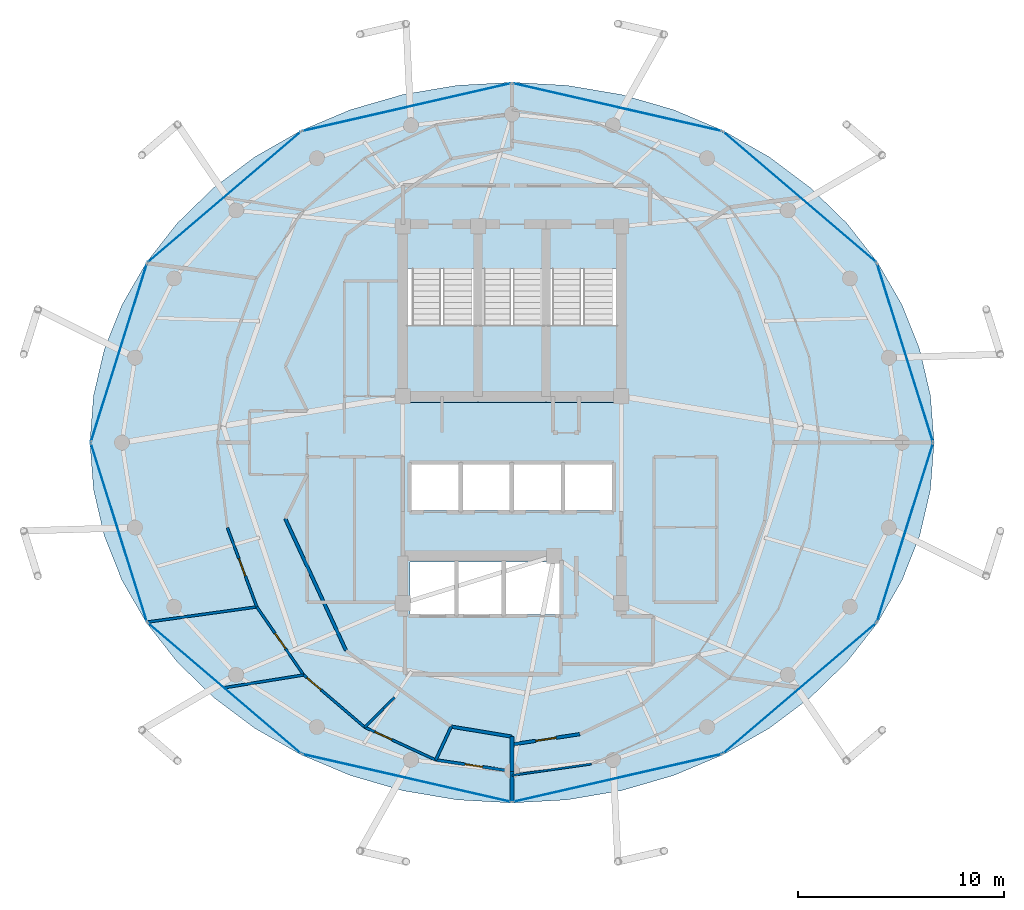
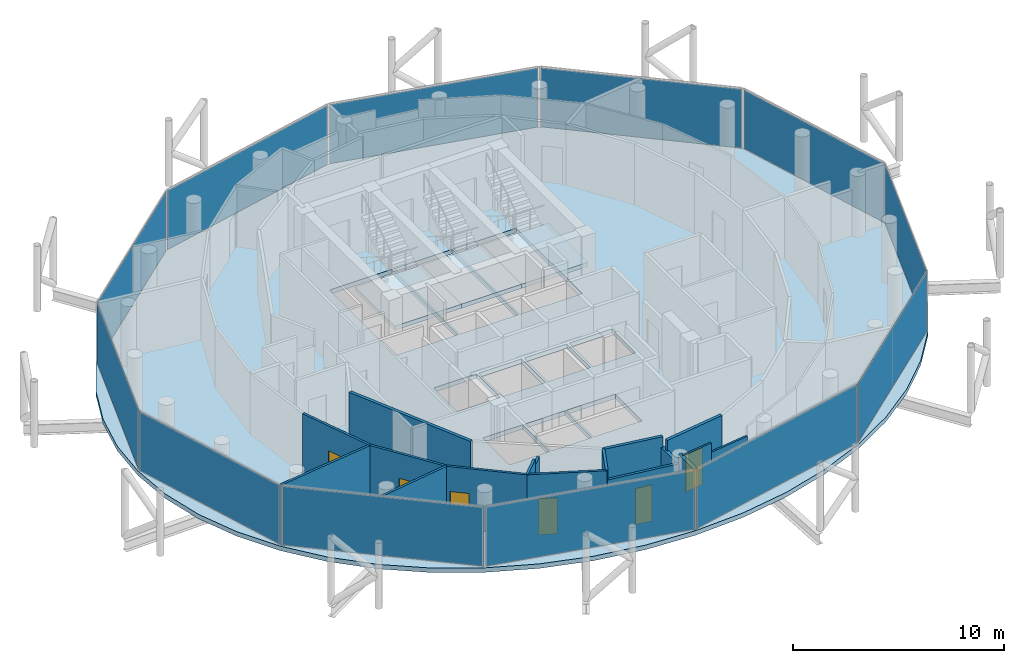
# One storey, part 19 of 24: 17 walls, 12 plates, 6 doors, 4 slabs, 6 openings, 15 elements without a shape of their own.
"""IFC4 building model written with IfcOpenShell, lengths in metres."""

import ifcopenshell
import ifcopenshell.guid

model = None  # the IFC model being written
_history = None  # IfcOwnerHistory: only IFC2X3 demands one
_inside = {}  # id of a spatial element -> (the spatial element, [elements in it])
_under = {}  # id of a project, library or spatial element -> (it, [spatial elements below it])
_declared = {}  # id of a project -> (the project, [libraries it declares])
_typed = {}  # id of a type object -> (the type object, [elements of that type])
_made_of = {}  # id of a material, layer set ... -> (it, [elements and type objects made of it])


def new_model(schema):
    """Start an empty IFC model of exactly this schema.

    Asked for "IFC4X3", IfcOpenShell would pick the latest addendum, in which some entities
    have other attributes; the version numbers below select the first issue.
    IFC2X3 requires an IfcOwnerHistory on every rooted entity: one is made here for all.
    """
    global model, _history
    if schema == "IFC4X3":
        model = ifcopenshell.file(schema_version=(4, 3, 0, 0))
    else:
        model = ifcopenshell.file(schema=schema)
    _inside.clear()
    _under.clear()
    _declared.clear()
    _typed.clear()
    _made_of.clear()
    _history = None
    if model.schema == "IFC2X3":
        org = make("IfcOrganization", Name="unknown")
        user = make(
            "IfcPersonAndOrganization",
            ThePerson=make("IfcPerson", FamilyName="unknown"),
            TheOrganization=org,
        )
        app = make(
            "IfcApplication",
            ApplicationDeveloper=org,
            Version="unknown",
            ApplicationFullName="unknown",
            ApplicationIdentifier="unknown",
        )
        _history = make(
            "IfcOwnerHistory",
            OwningUser=user,
            OwningApplication=app,
            ChangeAction="ADDED",
            CreationDate=0,
        )
    return model


def make(cls, **values):
    """One entity of the class cls with the attributes given. An attribute that is None is left unset."""
    return model.create_entity(
        cls, **{name: value for name, value in values.items() if value is not None}
    )


def rooted(cls, **values):
    """An entity with a GlobalId (a new one), such as an element, a storey or a relation."""
    return make(cls, GlobalId=ifcopenshell.guid.new(), OwnerHistory=_history, **values)


def si_unit(unit_type, name, prefix=None):
    """IfcSIUnit, for example si_unit("LENGTHUNIT", "METRE", prefix="MILLI")."""
    return make("IfcSIUnit", UnitType=unit_type, Prefix=prefix, Name=name)


def assignment(units):
    """IfcUnitAssignment: the units of a project."""
    return None if units is None else make("IfcUnitAssignment", Units=units)


def point(xyz):
    """IfcCartesianPoint."""
    return None if xyz is None else make("IfcCartesianPoint", Coordinates=xyz)


def direction(xyz):
    """IfcDirection."""
    return None if xyz is None else make("IfcDirection", DirectionRatios=xyz)


def frame(location, z_axis=None, x_axis=None):
    """IfcAxis2Placement3D, a coordinate frame: its origin and axes. An axis left out is left unset."""
    return make(
        "IfcAxis2Placement3D",
        Location=point(location),
        Axis=direction(z_axis),
        RefDirection=direction(x_axis),
    )


def frame_2d(location, x_axis=None):
    """IfcAxis2Placement2D, a coordinate frame in the plane: its origin and x axis."""
    return make(
        "IfcAxis2Placement2D", Location=point(location), RefDirection=direction(x_axis)
    )


def origin():
    """The frame at (0, 0, 0) with its axes left unset."""
    return frame((0.0, 0.0, 0.0))


def origin_2d():
    """The frame at (0, 0) in the plane with its x axis left unset."""
    return frame_2d((0.0, 0.0))


def place(relative_to, where):
    """IfcLocalPlacement: puts the frame where relative to a parent placement (None: the world)."""
    return make(
        "IfcLocalPlacement", PlacementRelTo=relative_to, RelativePlacement=where
    )


def context(
    kind, dimensions, precision=None, world=None, true_north=None, identifier=None
):
    """IfcGeometricRepresentationContext, for example the 3D "Model" context."""
    return make(
        "IfcGeometricRepresentationContext",
        ContextIdentifier=identifier,
        ContextType=kind,
        CoordinateSpaceDimension=dimensions,
        Precision=precision,
        WorldCoordinateSystem=world,
        TrueNorth=true_north,
    )


def subcontext(parent, identifier, kind, view, scale=None):
    """IfcGeometricRepresentationSubContext, for example "Body" below "Model"."""
    return make(
        "IfcGeometricRepresentationSubContext",
        ContextIdentifier=identifier,
        ContextType=kind,
        ParentContext=parent,
        TargetScale=scale,
        TargetView=view,
    )


def project(units=None, contexts=None):
    """IfcProject with its units and contexts."""
    return rooted(
        "IfcProject",
        Name="project",
        RepresentationContexts=contexts,
        UnitsInContext=assignment(units),
    )


def spatial(cls, under=None, at=None, **own):
    """A site, building, storey or space (cls), placed at a placement, below another one or the project."""
    s = rooted(cls, ObjectPlacement=at, **own)
    if under is not None:
        _under.setdefault(under.id(), (under, []))[1].append(s)
    return s


def polyline(points):
    """IfcPolyline through the points."""
    return make("IfcPolyline", Points=[point(p) for p in points])


def profile(cls, at=None, kind="AREA", **sizes):
    """A parametric profile (cls). Its sizes go by their IFC names, for example OverallWidth=200.0."""
    return make(cls, ProfileType=kind, Position=at, **sizes)


def rectangle(**sizes):
    """IfcRectangleProfileDef."""
    return profile("IfcRectangleProfileDef", **sizes)


def outline(outer, holes=None, kind="AREA"):
    """IfcArbitraryClosedProfileDef: a profile drawn as a closed curve; with holes, ...WithVoids."""
    if holes is None:
        return make("IfcArbitraryClosedProfileDef", ProfileType=kind, OuterCurve=outer)
    return make(
        "IfcArbitraryProfileDefWithVoids",
        ProfileType=kind,
        OuterCurve=outer,
        InnerCurves=holes,
    )


def extrude(swept, where, along, depth):
    """IfcExtrudedAreaSolid: the profile swept, set in the frame where, extruded along a direction by depth."""
    return make(
        "IfcExtrudedAreaSolid",
        SweptArea=swept,
        Position=where,
        ExtrudedDirection=direction(along),
        Depth=depth,
    )


def shape(context_of_items, identifier, shape_type, items):
    """IfcShapeRepresentation: the items that make up one representation, for example the "Body"."""
    return make(
        "IfcShapeRepresentation",
        ContextOfItems=context_of_items,
        RepresentationIdentifier=identifier,
        RepresentationType=shape_type,
        Items=items,
    )


def material(Name=None, Category=None):
    """IfcMaterial."""
    return make("IfcMaterial", Name=Name, Category=Category)


def layer(
    of_material, thickness, ventilated=None, Name=None, Category=None, Priority=None
):
    """IfcMaterialLayer: one layer of a wall or slab, of a material (None: an air gap)."""
    return make(
        "IfcMaterialLayer",
        Material=of_material,
        LayerThickness=thickness,
        IsVentilated=ventilated,
        Name=Name,
        Category=Category,
        Priority=Priority,
    )


def layer_set(layers, Name=None):
    """IfcMaterialLayerSet."""
    return make("IfcMaterialLayerSet", MaterialLayers=layers, LayerSetName=Name)


def made_of(thing, what):
    """Note that an element or type object is made of a material, layer set ...; save() writes the relation."""
    if what is not None:
        _made_of.setdefault(what.id(), (what, []))[1].append(thing)
    return thing


def type_object(cls, material=None, **own):
    """A type object (cls), such as IfcWallType, which elements share."""
    return made_of(rooted(cls, **own), material)


def element(
    cls,
    number,
    at=None,
    inside=None,
    cuts=None,
    type_object=None,
    material=None,
    context=None,
    identifier="Body",
    shape_type=None,
    held_by="IfcProductDefinitionShape",
    body=None,
    shapes=None,
    **own,
):
    """One element of the class cls, such as IfcWall. Its Tag is "e" and its number.

    at: its placement. inside: the storey or other place that contains it. cuts: it is an
    opening in that element (IfcRelVoidsElement). A single representation is given by context,
    identifier, shape_type and body (its items); several are given by shapes. held_by: the class
    of the entity that holds the representations. save() writes the other relations.
    """
    e = rooted(cls, Tag="e%d" % number, ObjectPlacement=at, **own)
    if body is not None:
        shapes = [shape(context, identifier, shape_type, body)]
    if shapes is not None:
        e.Representation = make(held_by, Representations=shapes)
    if inside is not None:
        _inside.setdefault(inside.id(), (inside, []))[1].append(e)
    if cuts is not None:
        rooted(
            "IfcRelVoidsElement", RelatingBuildingElement=cuts, RelatedOpeningElement=e
        )
    if type_object is not None:
        _typed.setdefault(type_object.id(), (type_object, []))[1].append(e)
    return made_of(e, material)


def fill(opening, filler):
    """IfcRelFillsElement: the door or window that sits in an opening."""
    return rooted(
        "IfcRelFillsElement",
        RelatingOpeningElement=opening,
        RelatedBuildingElement=filler,
    )


def aggregate(whole, parts):
    """IfcRelAggregates: a whole, such as a stair, and the parts it consists of."""
    return rooted("IfcRelAggregates", RelatingObject=whole, RelatedObjects=parts)


def save(model, path):
    """Write the relations noted so far, then the file.

    IfcRelAggregates (storeys below a building ...), IfcRelContainedInSpatialStructure (elements
    in a storey), IfcRelDefinesByType, IfcRelAssociatesMaterial and IfcRelDeclares: one each for
    every whole, place, type object, material and project.
    """
    for whole, parts in _under.values():
        aggregate(whole, parts)
    for where, things in _inside.values():
        rooted(
            "IfcRelContainedInSpatialStructure",
            RelatedElements=things,
            RelatingStructure=where,
        )
    for kind, things in _typed.values():
        rooted("IfcRelDefinesByType", RelatedObjects=things, RelatingType=kind)
    for what, things in _made_of.values():
        rooted("IfcRelAssociatesMaterial", RelatedObjects=things, RelatingMaterial=what)
    for by, libraries in _declared.values():
        rooted("IfcRelDeclares", RelatingContext=by, RelatedDefinitions=libraries)
    model.write(path)


model = new_model("IFC4")

# Units and contexts
model_context = context("Model", 3, precision=1e-05, world=origin(), true_north=direction((0.0, 1.0)))
body_context = subcontext(model_context, "Body", "Model", "MODEL_VIEW")
ifc_project = project(units=[si_unit("LENGTHUNIT", "METRE"), si_unit("AREAUNIT", "SQUARE_METRE"), si_unit("VOLUMEUNIT", "CUBIC_METRE"), si_unit("PLANEANGLEUNIT", "RADIAN"), si_unit("MASSUNIT", "GRAM", prefix="KILO")], contexts=[model_context])

# Site, building, storey
site_placement = place(None, origin())
site = spatial("IfcSite", under=ifc_project, at=site_placement, CompositionType="ELEMENT")
building_placement = place(site_placement, origin())
building = spatial("IfcBuilding", under=site, at=building_placement, Name="Nuhasar Tower", CompositionType="ELEMENT")
storey_placement = place(building_placement, frame((0.0, 0.0, 274.60009765625)))
storey = spatial("IfcBuildingStorey", under=building, at=storey_placement, Name="L68", CompositionType="ELEMENT", Elevation=274.60009765625)

# Curtain wall, plate
ifc_material_1 = material(Name="Aluminium 6063-T6", Category="aluminium")
ifc_layer_1 = layer(ifc_material_1, 0.18994140625)
ifc_layer_set_1 = layer_set([ifc_layer_1], Name="Aluminium 6063-T6")
curtain_wall_type = type_object("IfcCurtainWallType", Name="CW-Z4-PEN", PredefinedType="NOTDEFINED", material=ifc_layer_set_1)
curtain_wall_1_placement = place(storey_placement, origin())
curtain_wall_1 = element("IfcCurtainWall", 1, at=curtain_wall_1_placement, inside=storey, type_object=curtain_wall_type, Name="L68 Unitised Curtain Wall 01", PredefinedType="NOTDEFINED")
ifc_material_2 = material(Name="Glass Double Low-E", Category="glass")
ifc_layer_2 = layer(ifc_material_2, 0.028076171875)
ifc_layer_set_2 = layer_set([ifc_layer_2], Name="Glass Double Low-E")
plate_type = type_object("IfcPlateType", Name="CW-PANEL-GLZ", PredefinedType="CURTAIN_PANEL", material=ifc_layer_set_2)
plate_1_placement = place(storey_placement, frame((58.089599609375, 31.1650390625, 0.06005859375), z_axis=(0.0, 0.0, 1.0), x_axis=(-0.299556614146, 0.954078526601, 0.0)))
plate_1 = element("IfcPlate", 2, at=plate_1_placement, type_object=plate_type, Name="CW-Z4 panel 1.1", PredefinedType="CURTAIN_PANEL", context=body_context, shape_type="SweptSolid", body=[
    extrude(rectangle(XDim=9.0302734375, YDim=0.028076171875, at=origin_2d()), origin(), (0.0, 0.0, 1.0), 3.419921875),
])
aggregate(curtain_wall_1, [plate_1])

curtain_wall_2_placement = place(storey_placement, origin())
curtain_wall_2 = element("IfcCurtainWall", 3, at=curtain_wall_2_placement, inside=storey, type_object=curtain_wall_type, Name="L68 Unitised Curtain Wall 02", PredefinedType="NOTDEFINED")
plate_2_placement = place(storey_placement, frame((52.974609375, 38.7255859375, 0.06005859375), z_axis=(0.0, 0.0, 1.0), x_axis=(-0.760667252327, 0.649141996205, 0.0)))
plate_2 = element("IfcPlate", 4, at=plate_2_placement, type_object=plate_type, Name="CW-Z4 panel 1.1", PredefinedType="CURTAIN_PANEL", context=body_context, shape_type="SweptSolid", body=[
    extrude(rectangle(XDim=9.725341796875, YDim=0.028076171875, at=origin_2d()), origin(), (0.0, 0.0, 1.0), 3.419921875),
])
aggregate(curtain_wall_2, [plate_2])

curtain_wall_3_placement = place(storey_placement, origin())
curtain_wall_3 = element("IfcCurtainWall", 5, at=curtain_wall_3_placement, inside=storey, type_object=curtain_wall_type, Name="L68 Unitised Curtain Wall 03", PredefinedType="NOTDEFINED")
plate_3_placement = place(storey_placement, frame((44.114990234375, 43.090576171875, 0.06005859375), z_axis=(0.0, 0.0, 1.0), x_axis=(-0.97484371891, 0.222889487645, 0.0)))
plate_3 = element("IfcPlate", 6, at=plate_3_placement, type_object=plate_type, Name="CW-Z4 panel 1.1", PredefinedType="CURTAIN_PANEL", context=body_context, shape_type="SweptSolid", body=[
    extrude(rectangle(XDim=10.3740234375, YDim=0.028076171875, at=origin_2d()), origin(), (0.0, 0.0, 1.0), 3.419921875),
])
aggregate(curtain_wall_3, [plate_3])

curtain_wall_4_placement = place(storey_placement, origin())
curtain_wall_4 = element("IfcCurtainWall", 7, at=curtain_wall_4_placement, inside=storey, type_object=curtain_wall_type, Name="L68 Unitised Curtain Wall 04", PredefinedType="NOTDEFINED")
plate_4_placement = place(storey_placement, frame((33.885009765625, 43.090576171875, 0.06005859375), z_axis=(0.0, 0.0, 1.0), x_axis=(-0.97484371891, -0.222889487645, 0.0)))
plate_4 = element("IfcPlate", 8, at=plate_4_placement, type_object=plate_type, Name="CW-Z4 panel 1.1", PredefinedType="CURTAIN_PANEL", context=body_context, shape_type="SweptSolid", body=[
    extrude(rectangle(XDim=10.3740234375, YDim=0.028076171875, at=origin_2d()), origin(), (0.0, 0.0, 1.0), 3.419921875),
])
aggregate(curtain_wall_4, [plate_4])

curtain_wall_5_placement = place(storey_placement, origin())
curtain_wall_5 = element("IfcCurtainWall", 9, at=curtain_wall_5_placement, inside=storey, type_object=curtain_wall_type, Name="L68 Unitised Curtain Wall 05", PredefinedType="NOTDEFINED")
plate_5_placement = place(storey_placement, frame((25.025390625, 38.7255859375, 0.06005859375), z_axis=(0.0, 0.0, 1.0), x_axis=(-0.760667252327, -0.649141996205, 0.0)))
plate_5 = element("IfcPlate", 10, at=plate_5_placement, type_object=plate_type, Name="CW-Z4 panel 1.1", PredefinedType="CURTAIN_PANEL", context=body_context, shape_type="SweptSolid", body=[
    extrude(rectangle(XDim=9.725341796875, YDim=0.028076171875, at=origin_2d()), origin(), (0.0, 0.0, 1.0), 3.419921875),
])
aggregate(curtain_wall_5, [plate_5])

curtain_wall_6_placement = place(storey_placement, origin())
curtain_wall_6 = element("IfcCurtainWall", 11, at=curtain_wall_6_placement, inside=storey, type_object=curtain_wall_type, Name="L68 Unitised Curtain Wall 06", PredefinedType="NOTDEFINED")
plate_6_placement = place(storey_placement, frame((19.910400390625, 31.1650390625, 0.06005859375), z_axis=(0.0, 0.0, 1.0), x_axis=(-0.299556614146, -0.954078526601, 0.0)))
plate_6 = element("IfcPlate", 12, at=plate_6_placement, type_object=plate_type, Name="CW-Z4 panel 1.1", PredefinedType="CURTAIN_PANEL", context=body_context, shape_type="SweptSolid", body=[
    extrude(rectangle(XDim=9.0302734375, YDim=0.028076171875, at=origin_2d()), origin(), (0.0, 0.0, 1.0), 3.419921875),
])
aggregate(curtain_wall_6, [plate_6])

curtain_wall_7_placement = place(storey_placement, origin())
curtain_wall_7 = element("IfcCurtainWall", 13, at=curtain_wall_7_placement, inside=storey, type_object=curtain_wall_type, Name="L68 Unitised Curtain Wall 07", PredefinedType="NOTDEFINED")
plate_7_placement = place(storey_placement, frame((19.910400390625, 22.43505859375, 0.06005859375), z_axis=(0.0, 0.0, 1.0), x_axis=(0.299556614146, -0.954078526601, 0.0)))
plate_7 = element("IfcPlate", 14, at=plate_7_placement, type_object=plate_type, Name="CW-Z4 panel 1.1", PredefinedType="CURTAIN_PANEL", context=body_context, shape_type="SweptSolid", body=[
    extrude(rectangle(XDim=9.0302734375, YDim=0.028076171875, at=origin_2d()), origin(), (0.0, 0.0, 1.0), 3.419921875),
])
aggregate(curtain_wall_7, [plate_7])

curtain_wall_8_placement = place(storey_placement, origin())
curtain_wall_8 = element("IfcCurtainWall", 15, at=curtain_wall_8_placement, inside=storey, type_object=curtain_wall_type, Name="L68 Unitised Curtain Wall 08", PredefinedType="NOTDEFINED")
plate_8_placement = place(storey_placement, frame((25.025390625, 14.87451171875, 0.06005859375), z_axis=(0.0, 0.0, 1.0), x_axis=(0.760667252327, -0.649141996205, 0.0)))
plate_8 = element("IfcPlate", 16, at=plate_8_placement, type_object=plate_type, Name="CW-Z4 panel 1.1", PredefinedType="CURTAIN_PANEL", context=body_context, shape_type="SweptSolid", body=[
    extrude(rectangle(XDim=9.725341796875, YDim=0.028076171875, at=origin_2d()), origin(), (0.0, 0.0, 1.0), 3.419921875),
])
aggregate(curtain_wall_8, [plate_8])

curtain_wall_9_placement = place(storey_placement, origin())
curtain_wall_9 = element("IfcCurtainWall", 17, at=curtain_wall_9_placement, inside=storey, type_object=curtain_wall_type, Name="L68 Unitised Curtain Wall 09", PredefinedType="NOTDEFINED")
plate_9_placement = place(storey_placement, frame((33.885009765625, 10.509521484375, 0.06005859375), z_axis=(0.0, 0.0, 1.0), x_axis=(0.97484371891, -0.222889487645, 0.0)))
plate_9 = element("IfcPlate", 18, at=plate_9_placement, type_object=plate_type, Name="CW-Z4 panel 1.1", PredefinedType="CURTAIN_PANEL", context=body_context, shape_type="SweptSolid", body=[
    extrude(rectangle(XDim=10.3740234375, YDim=0.028076171875, at=origin_2d()), origin(), (0.0, 0.0, 1.0), 3.419921875),
])
aggregate(curtain_wall_9, [plate_9])

curtain_wall_10_placement = place(storey_placement, origin())
curtain_wall_10 = element("IfcCurtainWall", 19, at=curtain_wall_10_placement, inside=storey, type_object=curtain_wall_type, Name="L68 Unitised Curtain Wall 10", PredefinedType="NOTDEFINED")
plate_10_placement = place(storey_placement, frame((44.114990234375, 10.509521484375, 0.06005859375), z_axis=(0.0, 0.0, 1.0), x_axis=(0.97484371891, 0.222889487645, 0.0)))
plate_10 = element("IfcPlate", 20, at=plate_10_placement, type_object=plate_type, Name="CW-Z4 panel 1.1", PredefinedType="CURTAIN_PANEL", context=body_context, shape_type="SweptSolid", body=[
    extrude(rectangle(XDim=10.3740234375, YDim=0.028076171875, at=origin_2d()), origin(), (0.0, 0.0, 1.0), 3.419921875),
])
aggregate(curtain_wall_10, [plate_10])

curtain_wall_11_placement = place(storey_placement, origin())
curtain_wall_11 = element("IfcCurtainWall", 21, at=curtain_wall_11_placement, inside=storey, type_object=curtain_wall_type, Name="L68 Unitised Curtain Wall 11", PredefinedType="NOTDEFINED")
plate_11_placement = place(storey_placement, frame((52.974609375, 14.87451171875, 0.06005859375), z_axis=(0.0, 0.0, 1.0), x_axis=(0.760667252327, 0.649141996205, 0.0)))
plate_11 = element("IfcPlate", 22, at=plate_11_placement, type_object=plate_type, Name="CW-Z4 panel 1.1", PredefinedType="CURTAIN_PANEL", context=body_context, shape_type="SweptSolid", body=[
    extrude(rectangle(XDim=9.725341796875, YDim=0.028076171875, at=origin_2d()), origin(), (0.0, 0.0, 1.0), 3.419921875),
])
aggregate(curtain_wall_11, [plate_11])

curtain_wall_12_placement = place(storey_placement, origin())
curtain_wall_12 = element("IfcCurtainWall", 23, at=curtain_wall_12_placement, inside=storey, type_object=curtain_wall_type, Name="L68 Unitised Curtain Wall 12", PredefinedType="NOTDEFINED")
plate_12_placement = place(storey_placement, frame((58.089599609375, 22.43505859375, 0.06005859375), z_axis=(0.0, 0.0, 1.0), x_axis=(0.299556614146, 0.954078526601, 0.0)))
plate_12 = element("IfcPlate", 24, at=plate_12_placement, type_object=plate_type, Name="CW-Z4 panel 1.1", PredefinedType="CURTAIN_PANEL", context=body_context, shape_type="SweptSolid", body=[
    extrude(rectangle(XDim=9.0302734375, YDim=0.028076171875, at=origin_2d()), origin(), (0.0, 0.0, 1.0), 3.419921875),
])
aggregate(curtain_wall_12, [plate_12])

# Stair, slab
ifc_material_3 = material(Name="Concrete C45/55", Category="concrete")
stair_type_1 = type_object("IfcStairType", Name="STR-ST-01-2F-22R-1727", PredefinedType="HALF_TURN_STAIR", material=ifc_material_3)
stair_1_placement = place(storey_placement, origin())
stair_1 = element("IfcStair", 25, at=stair_1_placement, inside=storey, type_object=stair_type_1, Name="L68 Exit Stair ST-01", PredefinedType="HALF_TURN_STAIR")
ifc_layer_3 = layer(ifc_material_3, 0.239990234375)
ifc_layer_set_3 = layer_set([ifc_layer_3], Name="Concrete C45/55")
slab_type_1 = type_object("IfcSlabType", Name="SLB-STAIR-LND-240", PredefinedType="LANDING", material=ifc_layer_set_3)
slab_1_placement = place(storey_placement, frame((0.0, 0.0, 1.659912109375)))
slab_1 = element("IfcSlab", 26, at=slab_1_placement, type_object=slab_type_1, Name="ST-01 landing 1", PredefinedType="LANDING", context=body_context, shape_type="SweptSolid", body=[
    extrude(outline(polyline([(33.699951171875, 28.75), (37.35009765625, 28.75), (37.35009765625, 32.52001953125), (33.699951171875, 32.52001953125), (33.699951171875, 28.75)])), origin(), (0.0, 0.0, 1.0), 0.239990234375),
])
aggregate(stair_1, [slab_1])

stair_type_2 = type_object("IfcStairType", Name="STR-ST-03-2F-22R-1727", PredefinedType="HALF_TURN_STAIR", material=ifc_material_3)
stair_2_placement = place(storey_placement, origin())
stair_2 = element("IfcStair", 27, at=stair_2_placement, inside=storey, type_object=stair_type_2, Name="L68 Exit Stair ST-03", PredefinedType="HALF_TURN_STAIR")
slab_2_placement = place(storey_placement, frame((0.0, 0.0, 1.659912109375)))
slab_2 = element("IfcSlab", 28, at=slab_2_placement, type_object=slab_type_1, Name="ST-03 landing 1", PredefinedType="LANDING", context=body_context, shape_type="SweptSolid", body=[
    extrude(outline(polyline([(37.35009765625, 28.75), (40.64990234375, 28.75), (40.64990234375, 32.52001953125), (37.35009765625, 32.52001953125), (37.35009765625, 28.75)])), origin(), (0.0, 0.0, 1.0), 0.239990234375),
])
aggregate(stair_2, [slab_2])

stair_type_3 = type_object("IfcStairType", Name="STR-ST-02-2F-22R-1727", PredefinedType="HALF_TURN_STAIR", material=ifc_material_3)
stair_3_placement = place(storey_placement, origin())
stair_3 = element("IfcStair", 29, at=stair_3_placement, inside=storey, type_object=stair_type_3, Name="L68 Exit Stair ST-02", PredefinedType="HALF_TURN_STAIR")
slab_3_placement = place(storey_placement, frame((0.0, 0.0, 1.659912109375)))
slab_3 = element("IfcSlab", 30, at=slab_3_placement, type_object=slab_type_1, Name="ST-02 landing 1", PredefinedType="LANDING", context=body_context, shape_type="SweptSolid", body=[
    extrude(outline(polyline([(40.64990234375, 28.75), (44.300048828125, 28.75), (44.300048828125, 32.52001953125), (40.64990234375, 32.52001953125), (40.64990234375, 28.75)])), origin(), (0.0, 0.0, 1.0), 0.239990234375),
])
aggregate(stair_3, [slab_3])

# Slab
ifc_material_4 = material(Name="Concrete C50/60", Category="concrete")
ifc_layer_4 = layer(ifc_material_4, 0.260009765625)
ifc_layer_set_4 = layer_set([ifc_layer_4], Name="Concrete C50/60")
slab_type_2 = type_object("IfcSlabType", Name="SLB-Z1A-260", PredefinedType="FLOOR", material=ifc_layer_set_4)
slab_4_placement = place(storey_placement, frame((0.0, 0.0, -0.260009765625)))
element("IfcSlab", 31, at=slab_4_placement, inside=storey, type_object=slab_type_2, Name="L68 Structural Slab", PredefinedType="FLOOR", context=body_context, shape_type="SweptSolid", body=[
    extrude(outline(polyline([(59.5, 26.800048828125), (59.324951171875, 29.083984375), (58.801025390625, 31.3291015625), (57.93994140625, 33.4970703125), (56.75390625, 35.550048828125), (55.263916015625, 37.452880859375), (53.49609375, 39.174072265625), (51.47998046875, 40.68408203125), (49.25, 41.955078125), (46.844970703125, 42.968017578125), (44.305908203125, 43.7041015625), (41.676025390625, 44.14990234375), (39.0, 44.300048828125), (36.323974609375, 44.14990234375), (33.694091796875, 43.7041015625), (31.155029296875, 42.968017578125), (28.75, 41.955078125), (26.52001953125, 40.68408203125), (24.50390625, 39.174072265625), (22.736083984375, 37.452880859375), (21.24609375, 35.550048828125), (20.06005859375, 33.4970703125), (19.198974609375, 31.3291015625), (18.675048828125, 29.083984375), (18.5, 26.800048828125), (18.675048828125, 24.51611328125), (19.198974609375, 22.27099609375), (20.06005859375, 20.10302734375), (21.24609375, 18.050048828125), (22.736083984375, 16.14697265625), (24.50390625, 14.426025390625), (26.52001953125, 12.916015625), (28.75, 11.64501953125), (31.155029296875, 10.632080078125), (33.694091796875, 9.89599609375), (36.323974609375, 9.449951171875), (39.0, 9.300048828125), (41.676025390625, 9.449951171875), (44.305908203125, 9.89599609375), (46.844970703125, 10.632080078125), (49.25, 11.64501953125), (51.47998046875, 12.916015625), (53.49609375, 14.426025390625), (55.263916015625, 16.14697265625), (56.75390625, 18.050048828125), (57.93994140625, 20.10302734375), (58.801025390625, 22.27099609375), (59.324951171875, 24.51611328125), (59.5, 26.800048828125)]), holes=[polyline([(33.8798828125, 35.25), (37.300048828125, 35.25), (37.300048828125, 29.0), (33.8798828125, 29.0), (33.8798828125, 35.25)]), polyline([(37.39990234375, 35.25), (40.60009765625, 35.25), (40.60009765625, 29.0), (37.39990234375, 29.0), (37.39990234375, 35.25)]), polyline([(40.699951171875, 35.25), (44.1201171875, 35.25), (44.1201171875, 29.0), (40.699951171875, 29.0), (40.699951171875, 35.25)]), polyline([(34.10009765625, 25.75), (36.43994140625, 25.75), (36.43994140625, 23.5), (34.10009765625, 23.5), (34.10009765625, 25.75)]), polyline([(36.580078125, 25.75), (38.919921875, 25.75), (38.919921875, 23.5), (36.580078125, 23.5), (36.580078125, 25.75)]), polyline([(39.06005859375, 25.75), (41.39990234375, 25.75), (41.39990234375, 23.5), (39.06005859375, 23.5), (39.06005859375, 25.75)]), polyline([(41.5400390625, 25.75), (43.8798828125, 25.75), (43.8798828125, 23.5), (41.5400390625, 23.5), (41.5400390625, 25.75)]), polyline([(34.050048828125, 21.0), (36.25, 21.0), (36.25, 18.449951171875), (34.050048828125, 18.449951171875), (34.050048828125, 21.0)]), polyline([(36.35009765625, 21.0), (38.550048828125, 21.0), (38.550048828125, 18.449951171875), (36.35009765625, 18.449951171875), (36.35009765625, 21.0)]), polyline([(38.64990234375, 21.0), (41.320068359375, 21.0), (41.320068359375, 18.449951171875), (38.64990234375, 18.449951171875), (38.64990234375, 21.0)])]), origin(), (0.0, 0.0, 1.0), 0.260009765625),
])

# Wall, opening, door
ifc_material_5 = material(Name="Gypsum Board", Category="gypsum")
ifc_layer_5 = layer(ifc_material_5, 0.159912109375)
ifc_layer_set_5 = layer_set([ifc_layer_5], Name="Gypsum Board")
wall_type_1 = type_object("IfcWallType", Name="WL-CORR-160", PredefinedType="PARTITIONING", material=ifc_layer_set_5)
wall_1_placement = place(storey_placement, frame((42.2900390625, 12.639892578125, 0.0), z_axis=(0.0, 0.0, 1.0), x_axis=(-0.988648231668, -0.150248707217, 0.0)))
wall_1 = element("IfcWall", 32, at=wall_1_placement, inside=storey, type_object=wall_type_1, Name="L68 Interior Partition CORR-36", PredefinedType="PARTITIONING", context=body_context, shape_type="SweptSolid", body=[
    extrude(rectangle(XDim=3.327880859375, YDim=0.159912109375, at=frame_2d((1.6640625, 0.0))), origin(), (0.0, 0.0, 1.0), 3.539794921875),
])
opening_1_placement = place(wall_1_placement, frame((1.1640625, 0.0, 0.0)))
opening_1 = element("IfcOpeningElement", 33, at=opening_1_placement, cuts=wall_1, Name="Opening DU-02", PredefinedType="OPENING", context=body_context, shape_type="SweptSolid", body=[
    extrude(rectangle(XDim=1.0, YDim=2.14990234375, at=frame_2d((0.5, 1.074951171875))), frame((0.0, 0.08984375, 0.0), z_axis=(0.0, -1.0, 0.0), x_axis=(1.0, 0.0, 0.0)), (0.0, 0.0, 1.0), 0.179931640625),
])
ifc_material_6 = material(Name="Timber Oak", Category="wood")
door_type_1 = type_object("IfcDoorType", Name="DR-FLAT-FD60-1000", OperationType="NOTDEFINED", PredefinedType="DOOR", material=ifc_material_6)
door_1_placement = place(opening_1_placement, origin())
door_1 = element("IfcDoor", 34, at=door_1_placement, inside=storey, type_object=door_type_1, Name="L68 Private Chancellery Office 1 Entrance Door", OperationType="SINGLE_SWING_RIGHT", OverallHeight=2.14990234375, OverallWidth=1.0, PredefinedType="DOOR", context=body_context, shape_type="SweptSolid", body=[
    extrude(rectangle(XDim=1.0, YDim=2.14990234375, at=frame_2d((0.5, 1.074951171875))), frame((0.0, 0.02490234375, 0.0), z_axis=(0.0, -1.0, 0.0), x_axis=(1.0, 0.0, 0.0)), (0.0, 0.0, 1.0), 0.050048828125),
])
fill(opening_1, door_1)

# Walls
wall_2_placement = place(storey_placement, frame((27.988037109375, 23.10400390625, 0.0), z_axis=(0.0, 0.0, 1.0), x_axis=(0.418656179426, -0.908144814128, 0.0)))
element("IfcWall", 35, at=wall_2_placement, inside=storey, type_object=wall_type_1, Name="L68 Interior Partition UWEST-CORE-S1-26", PredefinedType="PARTITIONING", context=body_context, shape_type="SweptSolid", body=[
    extrude(rectangle(XDim=7.048583984375, YDim=0.159912109375, at=frame_2d((3.5244140625, 0.0))), origin(), (0.0, 0.0, 1.0), 3.539794921875),
])
wall_3_placement = place(storey_placement, frame((36.049072265625, 13.007080078125, 0.0), z_axis=(0.0, 0.0, 1.0), x_axis=(0.986650832406, -0.162850038111, 0.0)))
element("IfcWall", 36, at=wall_3_placement, inside=storey, type_object=wall_type_1, Name="L68 Interior Partition UWEST-CORE-S2-34", PredefinedType="PARTITIONING", context=body_context, shape_type="SweptSolid", body=[
    extrude(rectangle(XDim=2.990966796875, YDim=0.159912109375, at=frame_2d((1.49560546875, 0.0))), origin(), (0.0, 0.0, 1.0), 3.539794921875),
])
ifc_layer_6 = layer(ifc_material_1, 0.10009765625)
ifc_layer_set_6 = layer_set([ifc_layer_6], Name="Aluminium 6063-T6")
wall_type_2 = type_object("IfcWallType", Name="WL-MOVABLE-100", PredefinedType="MOVABLE", material=ifc_layer_set_6)
wall_4_placement = place(storey_placement, frame((39.0, 10.639892578125, 0.0), z_axis=(0.0, 0.0, 1.0), x_axis=(0.990014754184, 0.140963777257, 0.0)))
element("IfcWall", 37, at=wall_4_placement, inside=storey, type_object=wall_type_2, Name="L68 Interior Partition UMID5-01-36", PredefinedType="MOVABLE", context=body_context, shape_type="SweptSolid", body=[
    extrude(rectangle(XDim=1.718017578125, YDim=0.10009765625, at=frame_2d((0.85888671875, 0.0))), origin(), (0.0, 0.0, 1.0), 3.539794921875),
])
wall_5_placement = place(storey_placement, frame((40.700927734375, 10.882080078125, 0.0), z_axis=(0.0, 0.0, 1.0), x_axis=(0.989987397141, 0.141155777433, 0.0)))
element("IfcWall", 38, at=wall_5_placement, inside=storey, type_object=wall_type_2, Name="L68 Interior Partition UMID5-01-36", PredefinedType="MOVABLE", context=body_context, shape_type="SweptSolid", body=[
    extrude(rectangle(XDim=2.18798828125, YDim=0.10009765625, at=frame_2d((1.093994140625, 0.0))), origin(), (0.0, 0.0, 1.0), 3.0),
])

# Wall, opening, door
ifc_layer_7 = layer(ifc_material_5, 0.125)
ifc_layer_set_7 = layer_set([ifc_layer_7], Name="Gypsum Board")
wall_type_3 = type_object("IfcWallType", Name="WL-PART-125", PredefinedType="PARTITIONING", material=ifc_layer_set_7)
wall_6_placement = place(storey_placement, frame((35.2958984375, 11.384033203125, 0.0), z_axis=(0.0, 0.0, 1.0), x_axis=(-0.907833398029, 0.419331040377, 0.0)))
wall_6 = element("IfcWall", 39, at=wall_6_placement, inside=storey, type_object=wall_type_3, Name="L68 Interior Partition USM-2-K-32", PredefinedType="PARTITIONING", context=body_context, shape_type="SweptSolid", body=[
    extrude(rectangle(XDim=3.80126953125, YDim=0.125, at=frame_2d((1.900634765625, 0.0))), origin(), (0.0, 0.0, 1.0), 3.539794921875),
])
opening_2_placement = place(wall_6_placement, frame((2.35107421875, 0.0, 0.0)))
opening_2 = element("IfcOpeningElement", 40, at=opening_2_placement, cuts=wall_6, Name="Opening DR-01", PredefinedType="OPENING", context=body_context, shape_type="SweptSolid", body=[
    extrude(rectangle(XDim=0.89990234375, YDim=2.10009765625, at=frame_2d((0.449951171875, 1.050048828125))), frame((0.0, 0.072509765625, 0.0), z_axis=(0.0, -1.0, 0.0), x_axis=(1.0, 0.0, 0.0)), (0.0, 0.0, 1.0), 0.14501953125),
])
door_type_2 = type_object("IfcDoorType", Name="DR-ROOM-900", OperationType="NOTDEFINED", PredefinedType="DOOR", material=ifc_material_6)
door_2_placement = place(opening_2_placement, origin())
door_2 = element("IfcDoor", 41, at=door_2_placement, inside=storey, type_object=door_type_2, Name="L68 South-West Sky Home Kitchen Door", OperationType="SINGLE_SWING_RIGHT", OverallHeight=2.10009765625, OverallWidth=0.89990234375, PredefinedType="DOOR", context=body_context, shape_type="SweptSolid", body=[
    extrude(rectangle(XDim=0.89990234375, YDim=2.10009765625, at=frame_2d((0.449951171875, 1.050048828125))), frame((0.0, 0.02490234375, 0.0), z_axis=(0.0, -1.0, 0.0), x_axis=(1.0, 0.0, 0.0)), (0.0, 0.0, 1.0), 0.050048828125),
])
fill(opening_2, door_2)

# Walls
wall_7_placement = place(storey_placement, frame((33.300048828125, 14.43310546875, 0.0), z_axis=(0.0, 0.0, 1.0), x_axis=(-0.707106781187, -0.707106781187, 0.0)))
element("IfcWall", 42, at=wall_7_placement, inside=storey, type_object=wall_type_3, Name="L68 Interior Partition USI-2-DK", PredefinedType="PARTITIONING", context=body_context, shape_type="SweptSolid", body=[
    extrude(rectangle(XDim=0.762451171875, YDim=0.125, at=frame_2d((0.38134765625, 0.0))), origin(), (0.0, 0.0, 1.0), 3.184814453125),
])
wall_8_placement = place(storey_placement, frame((32.760986328125, 13.89404296875, 0.0), z_axis=(0.0, 0.0, 1.0), x_axis=(-0.707106781187, -0.707106781187, 0.0)))
element("IfcWall", 43, at=wall_8_placement, inside=storey, type_object=wall_type_3, Name="L68 Interior Partition USI-2-DK", PredefinedType="PARTITIONING", context=body_context, shape_type="SweptSolid", body=[
    extrude(rectangle(XDim=1.29541015625, YDim=0.125, at=frame_2d((0.647705078125, 0.0))), origin(), (0.0, 0.0, 1.0), 3.539794921875),
])

# Wall, opening, door
wall_9_placement = place(storey_placement, frame((26.60693359375, 18.820068359375, 0.0), z_axis=(0.0, 0.0, 1.0), x_axis=(-0.348052152542, 0.93747517253, 0.0)))
wall_9 = element("IfcWall", 44, at=wall_9_placement, inside=storey, type_object=wall_type_3, Name="L68 Interior Partition USM-2-D-26", PredefinedType="PARTITIONING", context=body_context, shape_type="SweptSolid", body=[
    extrude(rectangle(XDim=4.10546875, YDim=0.125, at=frame_2d((2.052734375, 0.0))), origin(), (0.0, 0.0, 1.0), 3.539794921875),
])
opening_3_placement = place(wall_9_placement, frame((1.60302734375, 0.0, 0.0)))
opening_3 = element("IfcOpeningElement", 45, at=opening_3_placement, cuts=wall_9, Name="Opening DR-01", PredefinedType="OPENING", context=body_context, shape_type="SweptSolid", body=[
    extrude(rectangle(XDim=0.89990234375, YDim=2.10009765625, at=frame_2d((0.449951171875, 1.050048828125))), frame((0.0, 0.072509765625, 0.0), z_axis=(0.0, -1.0, 0.0), x_axis=(1.0, 0.0, 0.0)), (0.0, 0.0, 1.0), 0.14501953125),
])
door_3_placement = place(opening_3_placement, origin())
door_3 = element("IfcDoor", 46, at=door_3_placement, inside=storey, type_object=door_type_2, Name="L68 South-West Sky Home Living Door", OperationType="SINGLE_SWING_LEFT", OverallHeight=2.10009765625, OverallWidth=0.89990234375, PredefinedType="DOOR", context=body_context, shape_type="SweptSolid", body=[
    extrude(rectangle(XDim=0.89990234375, YDim=2.10009765625, at=frame_2d((0.449951171875, 1.050048828125))), frame((0.0, 0.02490234375, 0.0), z_axis=(0.0, -1.0, 0.0), x_axis=(1.0, 0.0, 0.0)), (0.0, 0.0, 1.0), 0.050048828125),
])
fill(opening_3, door_3)

wall_10_placement = place(storey_placement, frame((28.881103515625, 15.514892578125, 0.0), z_axis=(0.0, 0.0, 1.0), x_axis=(-0.566843860179, 0.823825247354, 0.0)))
wall_10 = element("IfcWall", 47, at=wall_10_placement, inside=storey, type_object=wall_type_3, Name="L68 Interior Partition USM-2-D-28", PredefinedType="PARTITIONING", context=body_context, shape_type="SweptSolid", body=[
    extrude(rectangle(XDim=4.011962890625, YDim=0.125, at=frame_2d((2.005859375, 0.0))), origin(), (0.0, 0.0, 1.0), 3.539794921875),
])
opening_4_placement = place(wall_10_placement, frame((1.555908203125, 0.0, 0.0)))
opening_4 = element("IfcOpeningElement", 48, at=opening_4_placement, cuts=wall_10, Name="Opening DR-01", PredefinedType="OPENING", context=body_context, shape_type="SweptSolid", body=[
    extrude(rectangle(XDim=0.89990234375, YDim=2.10009765625, at=frame_2d((0.449951171875, 1.050048828125))), frame((0.0, 0.072509765625, 0.0), z_axis=(0.0, -1.0, 0.0), x_axis=(1.0, 0.0, 0.0)), (0.0, 0.0, 1.0), 0.14501953125),
])
door_4_placement = place(opening_4_placement, origin())
door_4 = element("IfcDoor", 49, at=door_4_placement, inside=storey, type_object=door_type_2, Name="L68 South-West Sky Home Study Door", OperationType="SINGLE_SWING_RIGHT", OverallHeight=2.10009765625, OverallWidth=0.89990234375, PredefinedType="DOOR", context=body_context, shape_type="SweptSolid", body=[
    extrude(rectangle(XDim=0.89990234375, YDim=2.10009765625, at=frame_2d((0.449951171875, 1.050048828125))), frame((0.0, 0.02490234375, 0.0), z_axis=(0.0, -1.0, 0.0), x_axis=(1.0, 0.0, 0.0)), (0.0, 0.0, 1.0), 0.050048828125),
])
fill(opening_4, door_4)

wall_11_placement = place(storey_placement, frame((31.844970703125, 12.97802734375, 0.0), z_axis=(0.0, 0.0, 1.0), x_axis=(-0.759711404355, 0.650260395606, 0.0)))
wall_11 = element("IfcWall", 50, at=wall_11_placement, inside=storey, type_object=wall_type_3, Name="L68 Interior Partition USM-2-D-30", PredefinedType="PARTITIONING", context=body_context, shape_type="SweptSolid", body=[
    extrude(rectangle(XDim=3.9013671875, YDim=0.125, at=frame_2d((1.95068359375, 0.0))), origin(), (0.0, 0.0, 1.0), 3.539794921875),
])
opening_5_placement = place(wall_11_placement, frame((2.801025390625, 0.0, 0.0)))
opening_5 = element("IfcOpeningElement", 51, at=opening_5_placement, cuts=wall_11, Name="Opening DR-01", PredefinedType="OPENING", context=body_context, shape_type="SweptSolid", body=[
    extrude(rectangle(XDim=0.89990234375, YDim=2.10009765625, at=frame_2d((0.449951171875, 1.050048828125))), frame((0.0, 0.072509765625, 0.0), z_axis=(0.0, -1.0, 0.0), x_axis=(1.0, 0.0, 0.0)), (0.0, 0.0, 1.0), 0.14501953125),
])
door_5_placement = place(opening_5_placement, origin())
door_5 = element("IfcDoor", 52, at=door_5_placement, inside=storey, type_object=door_type_2, Name="L68 South-West Sky Home Master Bedroom Door", OperationType="SINGLE_SWING_RIGHT", OverallHeight=2.10009765625, OverallWidth=0.89990234375, PredefinedType="DOOR", context=body_context, shape_type="SweptSolid", body=[
    extrude(rectangle(XDim=0.89990234375, YDim=2.10009765625, at=frame_2d((0.449951171875, 1.050048828125))), frame((0.0, 0.02490234375, 0.0), z_axis=(0.0, -1.0, 0.0), x_axis=(1.0, 0.0, 0.0)), (0.0, 0.0, 1.0), 0.050048828125),
])
fill(opening_5, door_5)

# Walls
wall_12_placement = place(storey_placement, frame((26.60693359375, 18.820068359375, 0.0), z_axis=(0.0, 0.0, 1.0), x_axis=(-0.990577811837, -0.136951081399, 0.0)))
element("IfcWall", 53, at=wall_12_placement, inside=storey, type_object=wall_type_3, Name="L68 Interior Partition USO-2-B1", PredefinedType="PARTITIONING", context=body_context, shape_type="SweptSolid", body=[
    extrude(rectangle(XDim=5.34619140625, YDim=0.125, at=frame_2d((2.673095703125, 0.0))), origin(), (0.0, 0.0, 1.0), 3.539794921875),
])
wall_13_placement = place(storey_placement, frame((28.881103515625, 15.514892578125, 0.0), z_axis=(0.0, 0.0, 1.0), x_axis=(-0.987326147409, -0.158704374994, 0.0)))
element("IfcWall", 54, at=wall_13_placement, inside=storey, type_object=wall_type_3, Name="L68 Interior Partition USO-2-B2", PredefinedType="PARTITIONING", context=body_context, shape_type="SweptSolid", body=[
    extrude(rectangle(XDim=3.881103515625, YDim=0.125, at=frame_2d((1.9404296875, 0.0))), origin(), (0.0, 0.0, 1.0), 3.539794921875),
])
ifc_material_7 = material(Name="Concrete C40/50 precast", Category="concrete")
ifc_layer_8 = layer(ifc_material_7, 0.199951171875)
ifc_layer_set_8 = layer_set([ifc_layer_8], Name="Concrete C40/50 precast")
wall_type_4 = type_object("IfcWallType", Name="WL-UNIT-200", PredefinedType="PARTITIONING", material=ifc_layer_set_8)
wall_14_placement = place(storey_placement, frame((39.0, 12.52001953125, 0.0), z_axis=(0.0, 0.0, 1.0), x_axis=(0.0, -1.0, 0.0)))
element("IfcWall", 55, at=wall_14_placement, inside=storey, type_object=wall_type_4, Name="L68 Interior Partition URAD-36-SW", PredefinedType="PARTITIONING", context=body_context, shape_type="SweptSolid", body=[
    extrude(rectangle(XDim=1.68994140625, YDim=0.199951171875, at=frame_2d((0.844970703125, 0.0))), origin(), (0.0, 0.0, 1.0), 2.9248046875),
])
wall_15_placement = place(storey_placement, frame((39.0, 10.830078125, 0.0), z_axis=(0.0, 0.0, 1.0), x_axis=(0.0, -1.0, 0.0)))
element("IfcWall", 56, at=wall_15_placement, inside=storey, type_object=wall_type_4, Name="L68 Interior Partition URAD-36-SW", PredefinedType="PARTITIONING", context=body_context, shape_type="SweptSolid", body=[
    extrude(rectangle(XDim=1.455078125, YDim=0.199951171875, at=frame_2d((0.7275390625, 0.0))), origin(), (0.0, 0.0, 1.0), 3.539794921875),
])

# Wall, opening, door
ifc_layer_9 = layer(ifc_material_7, 0.139892578125)
ifc_layer_set_9 = layer_set([ifc_layer_9], Name="Concrete C40/50 precast")
wall_type_5 = type_object("IfcWallType", Name="WL-WET-140", PredefinedType="PARTITIONING", material=ifc_layer_set_9)
wall_16_placement = place(storey_placement, frame((39.0, 10.840087890625, 0.0), z_axis=(0.0, 0.0, 1.0), x_axis=(-0.989388931872, 0.145291229911, 0.0)))
wall_16 = element("IfcWall", 57, at=wall_16_placement, inside=storey, type_object=wall_type_5, Name="L68 Interior Partition USM-2-B-34", PredefinedType="PARTITIONING", context=body_context, shape_type="SweptSolid", body=[
    extrude(rectangle(XDim=3.743896484375, YDim=0.139892578125, at=frame_2d((1.8720703125, 0.0))), origin(), (0.0, 0.0, 1.0), 3.0),
])
opening_6_placement = place(wall_16_placement, frame((1.447021484375, 0.0, 0.0)))
opening_6 = element("IfcOpeningElement", 58, at=opening_6_placement, cuts=wall_16, Name="Opening DB-01", PredefinedType="OPENING", context=body_context, shape_type="SweptSolid", body=[
    extrude(rectangle(XDim=0.85009765625, YDim=2.10009765625, at=frame_2d((0.425048828125, 1.050048828125))), frame((0.0, 0.080078125, 0.0), z_axis=(0.0, -1.0, 0.0), x_axis=(1.0, 0.0, 0.0)), (0.0, 0.0, 1.0), 0.159912109375),
])
door_type_3 = type_object("IfcDoorType", Name="DR-BATH-850", OperationType="NOTDEFINED", PredefinedType="DOOR", material=ifc_material_6)
door_6_placement = place(opening_6_placement, origin())
door_6 = element("IfcDoor", 59, at=door_6_placement, inside=storey, type_object=door_type_3, Name="L68 South-West Sky Home En-Suite Door", OperationType="SINGLE_SWING_LEFT", OverallHeight=2.10009765625, OverallWidth=0.85009765625, PredefinedType="DOOR", context=body_context, shape_type="SweptSolid", body=[
    extrude(rectangle(XDim=0.85009765625, YDim=2.10009765625, at=frame_2d((0.425048828125, 1.050048828125))), frame((0.0, 0.02490234375, 0.0), z_axis=(0.0, -1.0, 0.0), x_axis=(1.0, 0.0, 0.0)), (0.0, 0.0, 1.0), 0.050048828125),
])
fill(opening_6, door_6)

# Wall
wall_17_placement = place(storey_placement, frame((36.049072265625, 13.007080078125, 0.0), z_axis=(0.0, 0.0, 1.0), x_axis=(-0.420934907021, -0.907090846636, 0.0)))
element("IfcWall", 60, at=wall_17_placement, inside=storey, type_object=wall_type_5, Name="L68 Interior Partition USI-2-KB", PredefinedType="PARTITIONING", context=body_context, shape_type="SweptSolid", body=[
    extrude(rectangle(XDim=1.789306640625, YDim=0.139892578125, at=frame_2d((0.89453125, 0.0))), origin(), (0.0, 0.0, 1.0), 3.539794921875),
])

save(model, "model.ifc")
